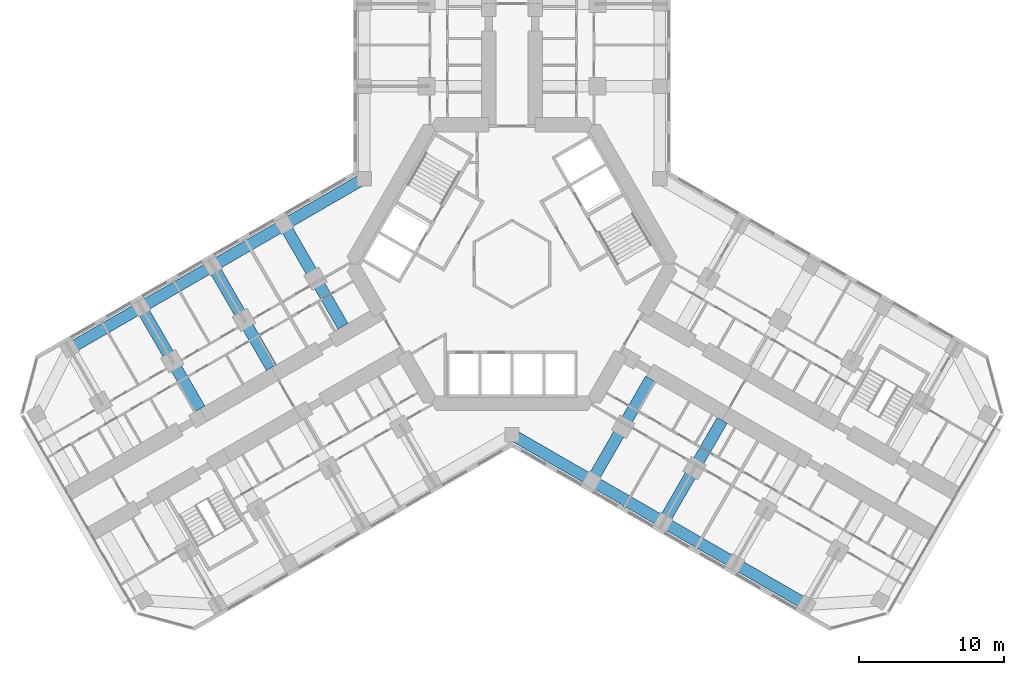
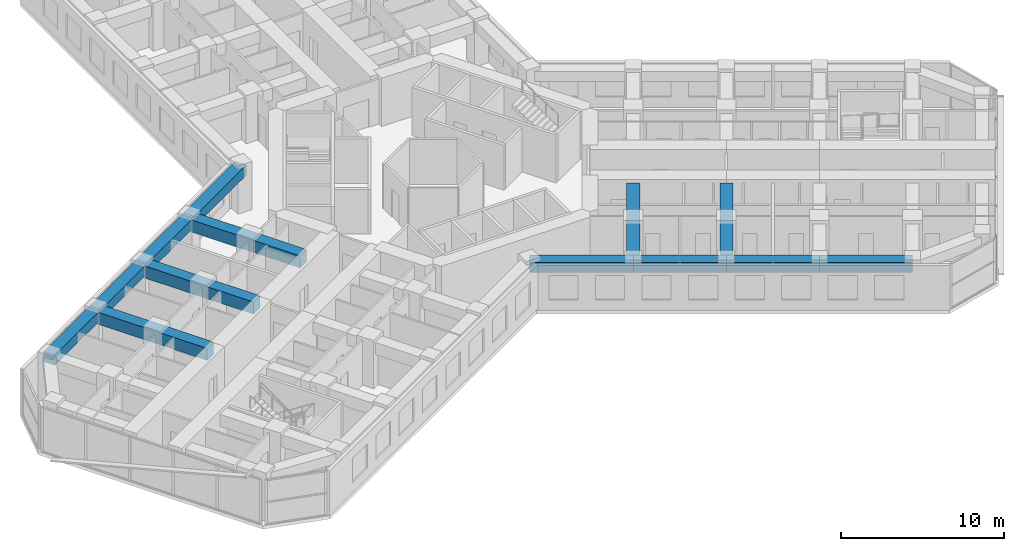
# One storey, part 4 of 21: 13 beams.
"""IFC4 building model written with IfcOpenShell, lengths in metres."""

from ifc_helpers import new_model, si_unit, direction, frame, origin, origin_2d, place, context, subcontext, project, spatial, rectangle, extrude, material, material_profile, profile_set, type_object, element, save


model = new_model("IFC4")

# Units and contexts
model_context = context("Model", 3, precision=1e-05, world=origin(), true_north=direction((0.0, 1.0)))
body_context = subcontext(model_context, "Body", "Model", "MODEL_VIEW")
ifc_project = project(units=[si_unit("LENGTHUNIT", "METRE"), si_unit("AREAUNIT", "SQUARE_METRE"), si_unit("VOLUMEUNIT", "CUBIC_METRE"), si_unit("PLANEANGLEUNIT", "RADIAN"), si_unit("MASSUNIT", "GRAM", prefix="KILO")], contexts=[model_context])

# Site, building, storey
site_placement = place(None, origin())
site = spatial("IfcSite", under=ifc_project, at=site_placement, CompositionType="ELEMENT")
building_placement = place(site_placement, origin())
building = spatial("IfcBuilding", under=site, at=building_placement, Name="Kosmar Iwan School Tower", CompositionType="ELEMENT")
storey_placement = place(building_placement, frame((0.0, 0.0, 53.800048828125)))
storey = spatial("IfcBuildingStorey", under=building, at=storey_placement, Name="L12", CompositionType="ELEMENT", Elevation=53.800048828125)

# Beams
ifc_material_1 = material(Name="Concrete C50/60", Category="concrete")
ifc_material_profile_1 = material_profile(ifc_material_1, rectangle(XDim=0.800048828125, YDim=0.75, at=origin_2d()), Name="RC 800x750")
ifc_profile_set_1 = profile_set([ifc_material_profile_1], Name="Concrete C50/60")
beam_type_1 = type_object("IfcBeamType", Name="RC edge beam 800x750", PredefinedType="BEAM", material=ifc_profile_set_1)
beam_1_placement = place(storey_placement, frame((-10.199951171875, 5.888916015625, 2.974853515625), z_axis=(-0.866030912664, -0.49999045822, 0.0), x_axis=(0.49999045822, -0.866030912664, 0.0)))
element("IfcBeam", 1, at=beam_1_placement, inside=storey, type_object=beam_type_1, Name="Edge beam BR1", PredefinedType="BEAM", context=body_context, shape_type="SweptSolid", body=[
    extrude(rectangle(XDim=0.800048828125, YDim=0.75, at=origin_2d()), origin(), (0.0, 0.0, 1.0), 6.36083984375),
])
beam_2_placement = place(storey_placement, frame((-15.708740234375, 2.70849609375, 2.974853515625), z_axis=(-0.866025820012, -0.499999279071, 0.0), x_axis=(0.499999279071, -0.866025820012, 0.0)))
element("IfcBeam", 2, at=beam_2_placement, inside=storey, type_object=beam_type_1, Name="Edge beam BR2", PredefinedType="BEAM", context=body_context, shape_type="SweptSolid", body=[
    extrude(rectangle(XDim=0.800048828125, YDim=0.75, at=origin_2d()), origin(), (0.0, 0.0, 1.0), 5.7001953125),
])
for number, where, z_axis, x_axis, name in (
    (3, (-20.645263671875, -0.1416015625, 2.974853515625), (-0.866033658841, -0.49998570155, 0.0), (0.49998570155, -0.866033658841, 0.0), "Edge beam BR3"),
    (4, (-25.58154296875, -2.991455078125, 2.974853515625), (-0.866015111908, -0.50001782563, 0.0), (0.50001782563, -0.866015111908, 0.0), "Edge beam BR4"),
):
    element("IfcBeam", number, at=place(storey_placement, frame(where, z_axis=z_axis, x_axis=x_axis)), inside=storey, type_object=beam_type_1, Name=name, PredefinedType="BEAM", context=body_context, shape_type="SweptSolid", body=[
        extrude(rectangle(XDim=0.800048828125, YDim=0.75, at=origin_2d()), origin(), (0.0, 0.0, 1.0), 5.699951171875),
    ])
beam_3_placement = place(storey_placement, frame((0.0, -11.77783203125, 2.974853515625), z_axis=(0.866014293216, -0.500019243575, 0.0), x_axis=(0.500019243575, 0.866014293216, 0.0)))
element("IfcBeam", 5, at=beam_3_placement, inside=storey, type_object=beam_type_1, Name="Edge beam CR1", PredefinedType="BEAM", context=body_context, shape_type="SweptSolid", body=[
    extrude(rectangle(XDim=0.800048828125, YDim=0.75, at=origin_2d()), origin(), (0.0, 0.0, 1.0), 6.361083984375),
])
beam_4_placement = place(storey_placement, frame((5.5087890625, -14.95849609375, 2.974853515625), z_axis=(0.866033658841, -0.49998570155, 0.0), x_axis=(0.49998570155, 0.866033658841, 0.0)))
element("IfcBeam", 6, at=beam_4_placement, inside=storey, type_object=beam_type_1, Name="Edge beam CR2", PredefinedType="BEAM", context=body_context, shape_type="SweptSolid", body=[
    extrude(rectangle(XDim=0.800048828125, YDim=0.75, at=origin_2d()), origin(), (0.0, 0.0, 1.0), 5.699951171875),
])
beam_5_placement = place(storey_placement, frame((10.445068359375, -17.808349609375, 2.974853515625), z_axis=(0.866025820012, -0.499999279071, 0.0), x_axis=(0.499999279071, 0.866025820012, 0.0)))
element("IfcBeam", 7, at=beam_5_placement, inside=storey, type_object=beam_type_1, Name="Edge beam CR3", PredefinedType="BEAM", context=body_context, shape_type="SweptSolid", body=[
    extrude(rectangle(XDim=0.800048828125, YDim=0.75, at=origin_2d()), origin(), (0.0, 0.0, 1.0), 5.7001953125),
])
beam_6_placement = place(storey_placement, frame((15.381591796875, -20.658447265625, 2.974853515625), z_axis=(0.866015111908, -0.50001782563, 0.0), x_axis=(0.50001782563, 0.866015111908, 0.0)))
element("IfcBeam", 8, at=beam_6_placement, inside=storey, type_object=beam_type_1, Name="Edge beam CR4", PredefinedType="BEAM", context=body_context, shape_type="SweptSolid", body=[
    extrude(rectangle(XDim=0.800048828125, YDim=0.75, at=origin_2d()), origin(), (0.0, 0.0, 1.0), 5.699951171875),
])
ifc_material_2 = material(Name="Concrete C50/60", Category="concrete")
ifc_material_profile_2 = material_profile(ifc_material_2, rectangle(XDim=0.800048828125, YDim=0.89990234375, at=origin_2d()), Name="RC 800x900")
ifc_profile_set_2 = profile_set([ifc_material_profile_2], Name="Concrete C50/60")
beam_type_2 = type_object("IfcBeamType", Name="RC transverse beam 800x900", PredefinedType="BEAM", material=ifc_profile_set_2)
beam_7_placement = place(storey_placement, frame((-15.708740234375, 2.70849609375, 2.89990234375), z_axis=(0.499999880539, -0.866025472755, 0.0), x_axis=(0.866025472755, 0.499999880539, 0.0)))
element("IfcBeam", 9, at=beam_7_placement, inside=storey, type_object=beam_type_2, Name="Transverse beam BR1", PredefinedType="BEAM", context=body_context, shape_type="SweptSolid", body=[
    extrude(rectangle(XDim=0.800048828125, YDim=0.89990234375, at=origin_2d()), origin(), (0.0, 0.0, 1.0), 8.10009765625),
])
beam_8_placement = place(storey_placement, frame((-20.645263671875, -0.1416015625, 2.89990234375), z_axis=(0.500012932018, -0.866017937352, 0.0), x_axis=(0.866017937352, 0.500012932018, 0.0)))
element("IfcBeam", 10, at=beam_8_placement, inside=storey, type_object=beam_type_2, Name="Transverse beam BR2", PredefinedType="BEAM", context=body_context, shape_type="SweptSolid", body=[
    extrude(rectangle(XDim=0.800048828125, YDim=0.89990234375, at=origin_2d()), origin(), (0.0, 0.0, 1.0), 8.099853515625),
])
for number, where, z_axis, x_axis, name in (
    (11, (-25.58154296875, -2.991455078125, 2.89990234375), (0.499999880539, -0.866025472755, 0.0), (0.866025472755, 0.499999880539, 0.0), "Transverse beam BR3"),
    (12, (5.5087890625, -14.95849609375, 2.89990234375), (0.499999880539, 0.866025472755, 0.0), (-0.866025472755, 0.499999880539, 0.0), "Transverse beam CR1"),
):
    element("IfcBeam", number, at=place(storey_placement, frame(where, z_axis=z_axis, x_axis=x_axis)), inside=storey, type_object=beam_type_2, Name=name, PredefinedType="BEAM", context=body_context, shape_type="SweptSolid", body=[
        extrude(rectangle(XDim=0.800048828125, YDim=0.89990234375, at=origin_2d()), origin(), (0.0, 0.0, 1.0), 8.10009765625),
    ])
beam_9_placement = place(storey_placement, frame((10.445068359375, -17.808349609375, 2.89990234375), z_axis=(0.500012932018, 0.866017937352, 0.0), x_axis=(-0.866017937352, 0.500012932018, 0.0)))
element("IfcBeam", 13, at=beam_9_placement, inside=storey, type_object=beam_type_2, Name="Transverse beam CR2", PredefinedType="BEAM", context=body_context, shape_type="SweptSolid", body=[
    extrude(rectangle(XDim=0.800048828125, YDim=0.89990234375, at=origin_2d()), origin(), (0.0, 0.0, 1.0), 8.099853515625),
])

save(model, "model.ifc")
